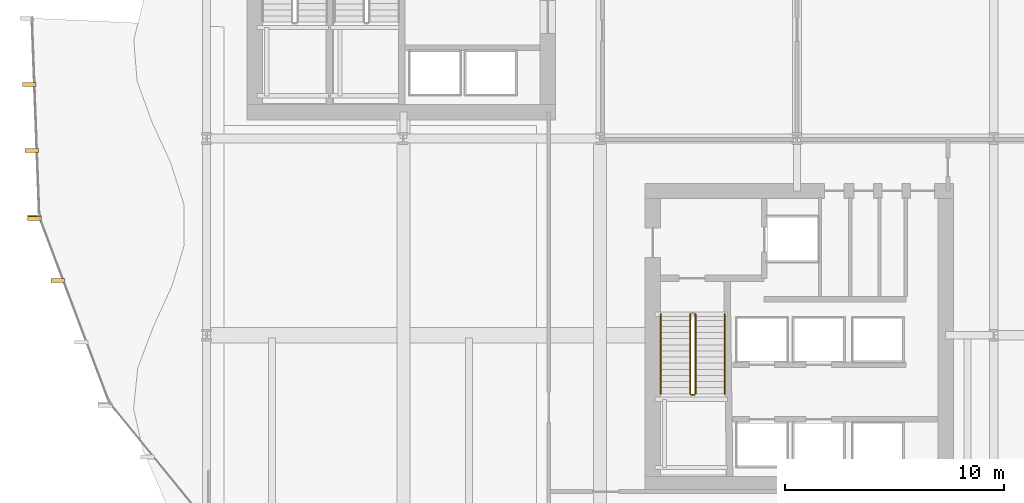
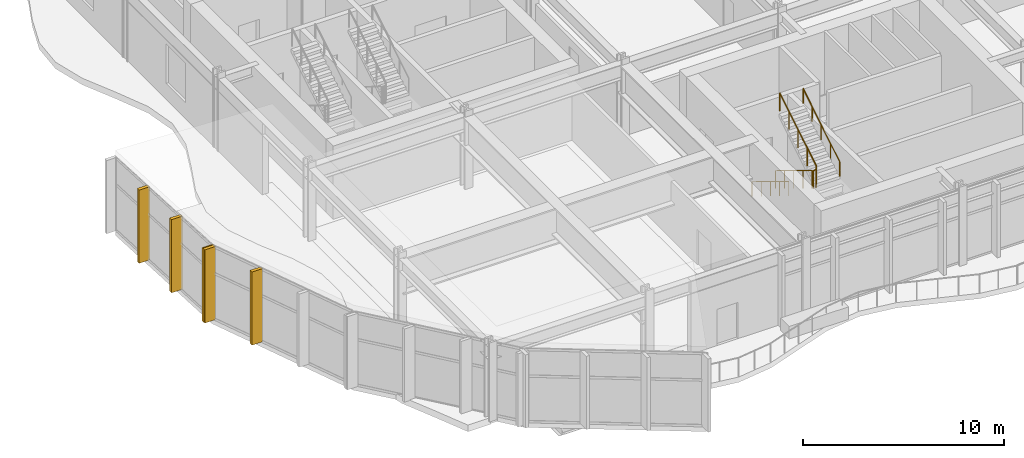
# One storey, part 25 of 31: 5 coverings, 5 railings.
"""IFC4 building model written with IfcOpenShell, lengths in metres."""

from ifc_helpers import new_model, si_unit, direction, frame, origin, origin_2d, place, context, subcontext, project, spatial, rectangle, circle, extrude, material, layer, layer_set, type_object, element, save


model = new_model("IFC4")

# Units and contexts
model_context = context("Model", 3, precision=1e-05, world=origin(), true_north=direction((0.0, 1.0)))
body_context = subcontext(model_context, "Body", "Model", "MODEL_VIEW")
ifc_project = project(units=[si_unit("LENGTHUNIT", "METRE"), si_unit("AREAUNIT", "SQUARE_METRE"), si_unit("VOLUMEUNIT", "CUBIC_METRE"), si_unit("PLANEANGLEUNIT", "RADIAN"), si_unit("MASSUNIT", "GRAM", prefix="KILO")], contexts=[model_context])

# Site, building, storey
site_placement = place(None, origin())
site = spatial("IfcSite", under=ifc_project, at=site_placement, CompositionType="ELEMENT")
building_placement = place(site_placement, origin())
building = spatial("IfcBuilding", under=site, at=building_placement, Name="Solvaryn Broadcast Tower", CompositionType="ELEMENT")
storey_placement = place(building_placement, frame((0.0, 0.0, 26.0)))
storey = spatial("IfcBuildingStorey", under=building, at=storey_placement, Name="L05", CompositionType="ELEMENT", Elevation=26.0)

# Coverings
ifc_material_1 = material(Name="Extruded Architectural Terracotta Fin", Category="masonry")
ifc_layer = layer(ifc_material_1, 0.179931640625)
ifc_layer_set = layer_set([ifc_layer], Name="CV-TC-FIN")
covering_type = type_object("IfcCoveringType", Name="CV-TC-FIN", PredefinedType="USERDEFINED", material=ifc_layer_set)
for number, where, z_axis, x_axis, name in (
    (1, (0.890625, 29.465087890625, 0.0), (0.0, 0.0, 1.0), (1.0, 0.0, 0.0), "L05 Terracotta Vertical Fin FIN-POD-L05-DC1-01"),
    (2, (1.00341796875, 26.44091796875, 0.0), (0.0, 0.0, 1.0), (1.0, 0.0, 0.0), "L05 Terracotta Vertical Fin FIN-POD-L05-DC1-02"),
    (3, (1.115966796875, 23.4169921875, 0.0), (0.0, 0.0, 1.0), (1.0, 0.0, 0.0), "L05 Terracotta Vertical Fin FIN-POD-L05-DC1-03"),
    (4, (1.131103515625, 23.341064453125, 0.0), (0.0, 0.0, 1.0), (1.0, 0.0, 0.0), "L05 Terracotta Vertical Fin FIN-POD-L05-DC2-00"),
    (5, (2.198974609375, 20.509765625, 0.0), (0.0, 0.0, 1.0), (1.0, 0.0, 0.0), "L05 Terracotta Vertical Fin FIN-POD-L05-DC2-01"),
):
    element("IfcCovering", number, at=place(storey_placement, frame(where, z_axis=z_axis, x_axis=x_axis)), inside=storey, type_object=covering_type, Name=name, ObjectType="FIN", PredefinedType="USERDEFINED", context=body_context, shape_type="SweptSolid", body=[
        extrude(rectangle(XDim=0.6201171875, YDim=0.179931640625, at=origin_2d()), origin(), (0.0, 0.0, 1.0), 4.43994140625),
    ])

# Railings
ifc_material_2 = material(Name="Painted Steel Stair Well Guard", Category="steel")
railing_type_1 = type_object("IfcRailingType", Name="RL-STAIR-GUARD", PredefinedType="BALUSTRADE", material=ifc_material_2)
railing_1_placement = place(storey_placement, frame((31.110107421875, 18.9599609375, 0.17138671875)))
element("IfcRailing", 6, at=railing_1_placement, inside=storey, type_object=railing_type_1, Name="L05 ST3 stair guard 1", PredefinedType="BALUSTRADE", context=body_context, shape_type="SweptSolid", body=[
    extrude(circle(Radius=0.02392578125, at=origin_2d()), frame((0.0, 0.0, 1.076171875), z_axis=(0.0, -0.852850264322, 0.5221555579), x_axis=(1.0, 0.0, 0.0)), (0.0, 0.0, 1.0), 4.267822265625),
    extrude(circle(Radius=0.02099609375, at=origin_2d()), origin(), (0.0, 0.0, 1.0), 1.052001953125),
    extrude(circle(Radius=0.02099609375, at=origin_2d()), frame((0.0, -0.909912109375, 0.55712890625)), (0.0, 0.0, 1.0), 1.052001953125),
    extrude(circle(Radius=0.02099609375, at=origin_2d()), frame((0.0, -1.81982421875, 1.1142578125)), (0.0, 0.0, 1.0), 1.052001953125),
    extrude(circle(Radius=0.02099609375, at=origin_2d()), frame((0.0, -2.72998046875, 1.67138671875)), (0.0, 0.0, 1.0), 1.052001953125),
    extrude(circle(Radius=0.02099609375, at=origin_2d()), frame((0.0, -3.639892578125, 2.228515625)), (0.0, 0.0, 1.0), 1.052001953125),
])
railing_2_placement = place(storey_placement, frame((31.159912109375, 15.27001953125, 2.39990234375)))
element("IfcRailing", 7, at=railing_2_placement, inside=storey, type_object=railing_type_1, Name="L05 ST3 stair guard 2", PredefinedType="BALUSTRADE", context=body_context, shape_type="SweptSolid", body=[
    extrude(circle(Radius=0.02392578125, at=origin_2d()), frame((0.0, 0.0, 1.076171875), z_axis=(1.0, 0.0, 0.0), x_axis=(0.0, 1.0, 0.0)), (0.0, 0.0, 1.0), 0.150146484375),
    extrude(circle(Radius=0.02099609375, at=origin_2d()), origin(), (0.0, 0.0, 1.0), 1.052001953125),
    extrude(circle(Radius=0.02099609375, at=origin_2d()), frame((0.150146484375, 0.0, 0.0)), (0.0, 0.0, 1.0), 1.052001953125),
])
railing_3_placement = place(storey_placement, frame((31.360107421875, 15.320068359375, 2.571533203125)))
element("IfcRailing", 8, at=railing_3_placement, inside=storey, type_object=railing_type_1, Name="L05 ST3 stair guard 3", PredefinedType="BALUSTRADE", context=body_context, shape_type="SweptSolid", body=[
    extrude(circle(Radius=0.02392578125, at=origin_2d()), frame((0.0, 0.0, 1.076171875), z_axis=(0.0, 0.852850264322, 0.5221555579), x_axis=(-1.0, 0.0, 0.0)), (0.0, 0.0, 1.0), 4.267822265625),
    extrude(circle(Radius=0.02099609375, at=origin_2d()), origin(), (0.0, 0.0, 1.0), 1.052001953125),
    extrude(circle(Radius=0.02099609375, at=origin_2d()), frame((0.0, 0.909912109375, 0.55712890625)), (0.0, 0.0, 1.0), 1.052001953125),
    extrude(circle(Radius=0.02099609375, at=origin_2d()), frame((0.0, 1.81982421875, 1.1142578125)), (0.0, 0.0, 1.0), 1.052001953125),
    extrude(circle(Radius=0.02099609375, at=origin_2d()), frame((0.0, 2.72998046875, 1.67138671875)), (0.0, 0.0, 1.0), 1.052001953125),
    extrude(circle(Radius=0.02099609375, at=origin_2d()), frame((0.0, 3.639892578125, 2.228515625)), (0.0, 0.0, 1.0), 1.052001953125),
])
ifc_material_3 = material(Name="Brushed Stainless Steel Tubular Handrail", Category="steel")
railing_type_2 = type_object("IfcRailingType", Name="RL-STAIR-HANDRAIL", PredefinedType="HANDRAIL", material=ifc_material_3)
railing_4_placement = place(storey_placement, frame((29.77001953125, 18.9599609375, 0.17138671875)))
element("IfcRailing", 9, at=railing_4_placement, inside=storey, type_object=railing_type_2, Name="L05 ST3 stair handrail 1", PredefinedType="HANDRAIL", context=body_context, shape_type="SweptSolid", body=[
    extrude(circle(Radius=0.02392578125, at=origin_2d()), frame((0.0, 0.0, 0.8759765625), z_axis=(0.0, -0.852850264322, 0.5221555579), x_axis=(1.0, 0.0, 0.0)), (0.0, 0.0, 1.0), 4.267822265625),
    extrude(circle(Radius=0.02099609375, at=origin_2d()), origin(), (0.0, 0.0, 1.0), 0.851806640625),
    extrude(circle(Radius=0.02099609375, at=origin_2d()), frame((0.0, -0.909912109375, 0.55712890625)), (0.0, 0.0, 1.0), 0.851806640625),
    extrude(circle(Radius=0.02099609375, at=origin_2d()), frame((0.0, -1.81982421875, 1.1142578125)), (0.0, 0.0, 1.0), 0.851806640625),
    extrude(circle(Radius=0.02099609375, at=origin_2d()), frame((0.0, -2.72998046875, 1.67138671875)), (0.0, 0.0, 1.0), 0.851806640625),
    extrude(circle(Radius=0.02099609375, at=origin_2d()), frame((0.0, -3.639892578125, 2.228515625)), (0.0, 0.0, 1.0), 0.851806640625),
])
railing_5_placement = place(storey_placement, frame((32.699951171875, 15.320068359375, 2.571533203125)))
element("IfcRailing", 10, at=railing_5_placement, inside=storey, type_object=railing_type_2, Name="L05 ST3 stair handrail 2", PredefinedType="HANDRAIL", context=body_context, shape_type="SweptSolid", body=[
    extrude(circle(Radius=0.02392578125, at=origin_2d()), frame((0.0, 0.0, 0.8759765625), z_axis=(0.0, 0.852850264322, 0.5221555579), x_axis=(-1.0, 0.0, 0.0)), (0.0, 0.0, 1.0), 4.267822265625),
    extrude(circle(Radius=0.02099609375, at=origin_2d()), origin(), (0.0, 0.0, 1.0), 0.851806640625),
    extrude(circle(Radius=0.02099609375, at=origin_2d()), frame((0.0, 0.909912109375, 0.55712890625)), (0.0, 0.0, 1.0), 0.851806640625),
    extrude(circle(Radius=0.02099609375, at=origin_2d()), frame((0.0, 1.81982421875, 1.1142578125)), (0.0, 0.0, 1.0), 0.851806640625),
    extrude(circle(Radius=0.02099609375, at=origin_2d()), frame((0.0, 2.72998046875, 1.67138671875)), (0.0, 0.0, 1.0), 0.851806640625),
    extrude(circle(Radius=0.02099609375, at=origin_2d()), frame((0.0, 3.639892578125, 2.228515625)), (0.0, 0.0, 1.0), 0.851806640625),
])

save(model, "model.ifc")
